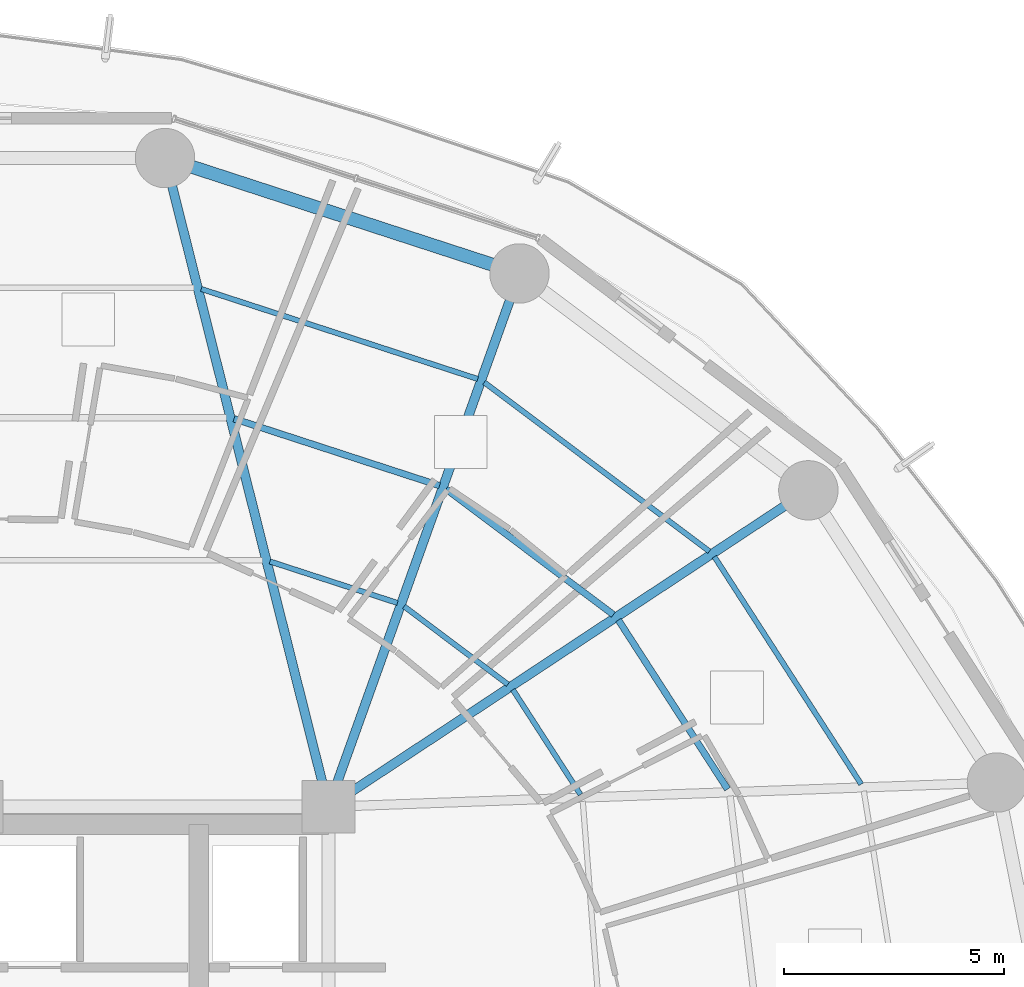
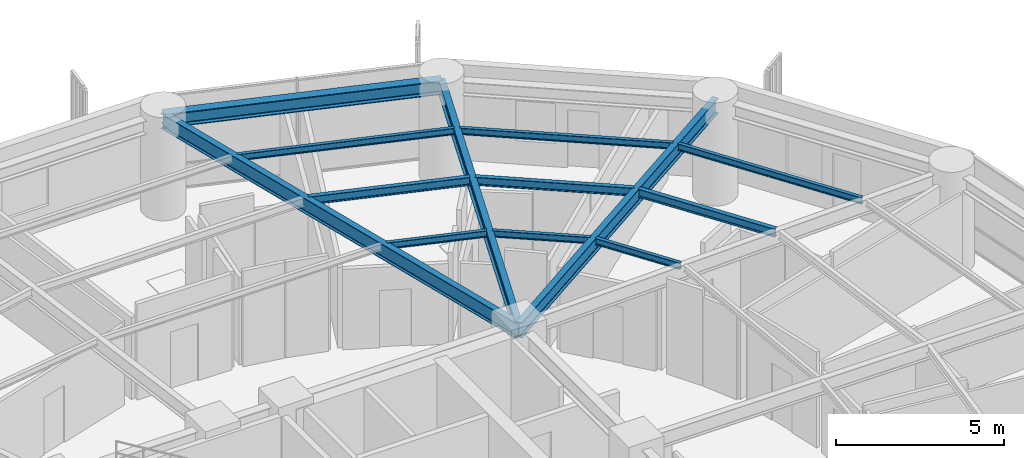
# One storey, part 24 of 37: 13 beams.
"""IFC4 building model written with IfcOpenShell, lengths in metres."""

from ifc_helpers import new_model, si_unit, direction, frame, origin, origin_2d, place, context, subcontext, project, spatial, i_section, extrude, material, material_profile, profile_set, type_object, element, save


model = new_model("IFC4")

# Units and contexts
model_context = context("Model", 3, precision=1e-05, world=origin(), true_north=direction((0.0, 1.0)))
body_context = subcontext(model_context, "Body", "Model", "MODEL_VIEW")
ifc_project = project(units=[si_unit("LENGTHUNIT", "METRE"), si_unit("AREAUNIT", "SQUARE_METRE"), si_unit("VOLUMEUNIT", "CUBIC_METRE"), si_unit("PLANEANGLEUNIT", "RADIAN"), si_unit("MASSUNIT", "GRAM", prefix="KILO")], contexts=[model_context])

# Site, building, storey
site_placement = place(None, origin())
site = spatial("IfcSite", under=ifc_project, at=site_placement, CompositionType="ELEMENT")
building_placement = place(site_placement, origin())
building = spatial("IfcBuilding", under=site, at=building_placement, Name="Kelanora Arch Commons", CompositionType="ELEMENT")
storey_placement = place(building_placement, frame((0.0, 0.0, 113.85009765625)))
storey = spatial("IfcBuildingStorey", under=building, at=storey_placement, Name="L29", CompositionType="ELEMENT", Elevation=113.85009765625)

# Beams
ifc_material = material(Name="Steel S355", Category="steel")
ifc_material_profile_1 = material_profile(ifc_material, i_section(OverallWidth=0.14990234375, OverallDepth=0.300048828125, WebThickness=0.007080078125, FlangeThickness=0.0107421875, FilletRadius=0.014892578125, at=origin_2d()), Name="IPE300")
ifc_profile_set_1 = profile_set([ifc_material_profile_1], Name="Steel S355")
beam_type_1 = type_object("IfcBeamType", Name="BM-JST-01", PredefinedType="JOIST", material=ifc_profile_set_1)
beam_1_placement = place(storey_placement, frame((91.06884765625, 65.402587890625, 3.33984375), z_axis=(-0.542230243286, 0.840229946661, 0.0), x_axis=(-0.840229946661, -0.542230243286, 0.0)))
element("IfcBeam", 1, at=beam_1_placement, inside=storey, type_object=beam_type_1, Name="Secondary Chord Joist BJB-02 L29", PredefinedType="JOIST", context=body_context, shape_type="SweptSolid", body=[
    extrude(i_section(OverallWidth=0.14990234375, OverallDepth=0.300048828125, WebThickness=0.007080078125, FlangeThickness=0.0107421875, FilletRadius=0.014892578125, at=origin_2d()), origin(), (0.0, 0.0, 1.0), 4.572265625),
])
beam_2_placement = place(storey_placement, frame((88.4755859375, 69.36669921875, 3.33984375), z_axis=(-0.79971039107, 0.600385951214, 0.0), x_axis=(-0.600385951214, -0.79971039107, 0.0)))
element("IfcBeam", 2, at=beam_2_placement, inside=storey, type_object=beam_type_1, Name="Secondary Chord Joist BJB-04 L29", PredefinedType="JOIST", context=body_context, shape_type="SweptSolid", body=[
    extrude(i_section(OverallWidth=0.14990234375, OverallDepth=0.300048828125, WebThickness=0.007080078125, FlangeThickness=0.0107421875, FilletRadius=0.014892578125, at=origin_2d()), origin(), (0.0, 0.0, 1.0), 4.756103515625),
])
beam_3_placement = place(storey_placement, frame((84.523193359375, 72.29931640625, 3.33984375), z_axis=(-0.950857140254, 0.309629938521, 0.0), x_axis=(-0.309629938521, -0.950857140254, 0.0)))
element("IfcBeam", 3, at=beam_3_placement, inside=storey, type_object=beam_type_1, Name="Secondary Chord Joist BJB-06 L29", PredefinedType="JOIST", context=body_context, shape_type="SweptSolid", body=[
    extrude(i_section(OverallWidth=0.14990234375, OverallDepth=0.300048828125, WebThickness=0.007080078125, FlangeThickness=0.0107421875, FilletRadius=0.014892578125, at=origin_2d()), origin(), (0.0, 0.0, 1.0), 4.912353515625),
])
ifc_material_profile_2 = material_profile(ifc_material, i_section(OverallWidth=0.1201171875, OverallDepth=0.239990234375, WebThickness=0.006103515625, FlangeThickness=0.009765625, FilletRadius=0.014892578125, at=origin_2d()), Name="IPE240")
ifc_profile_set_2 = profile_set([ifc_material_profile_2], Name="Steel S355")
beam_type_2 = type_object("IfcBeamType", Name="BM-JST-02", PredefinedType="JOIST", material=ifc_profile_set_2)
beam_4_placement = place(storey_placement, frame((87.726806640625, 65.281005859375, 3.369873046875), z_axis=(-0.542211255502, 0.840242199849, 0.0), x_axis=(-0.840242199849, -0.542211255502, 0.0)))
element("IfcBeam", 4, at=beam_4_placement, inside=storey, type_object=beam_type_2, Name="Secondary Chord Joist BJA-02 L29", PredefinedType="JOIST", context=body_context, shape_type="SweptSolid", body=[
    extrude(i_section(OverallWidth=0.1201171875, OverallDepth=0.239990234375, WebThickness=0.006103515625, FlangeThickness=0.009765625, FilletRadius=0.014892578125, at=origin_2d()), origin(), (0.0, 0.0, 1.0), 2.83349609375),
])
beam_5_placement = place(storey_placement, frame((94.107177734375, 65.512939453125, 3.369873046875), z_axis=(-0.542212726273, 0.840241250754, 0.0), x_axis=(-0.840241250754, -0.542212726273, 0.0)))
element("IfcBeam", 5, at=beam_5_placement, inside=storey, type_object=beam_type_2, Name="Secondary Chord Joist BJC-02 L29", PredefinedType="JOIST", context=body_context, shape_type="SweptSolid", body=[
    extrude(i_section(OverallWidth=0.1201171875, OverallDepth=0.239990234375, WebThickness=0.006103515625, FlangeThickness=0.009765625, FilletRadius=0.014892578125, at=origin_2d()), origin(), (0.0, 0.0, 1.0), 6.15283203125),
])
beam_6_placement = place(storey_placement, frame((86.076416015625, 67.7841796875, 3.369873046875), z_axis=(-0.799692034361, 0.600410401458, 0.0), x_axis=(-0.600410401458, -0.799692034361, 0.0)))
element("IfcBeam", 6, at=beam_6_placement, inside=storey, type_object=beam_type_2, Name="Secondary Chord Joist BJA-04 L29", PredefinedType="JOIST", context=body_context, shape_type="SweptSolid", body=[
    extrude(i_section(OverallWidth=0.1201171875, OverallDepth=0.239990234375, WebThickness=0.006103515625, FlangeThickness=0.009765625, FilletRadius=0.014892578125, at=origin_2d()), origin(), (0.0, 0.0, 1.0), 2.949951171875),
])
beam_7_placement = place(storey_placement, frame((90.65673828125, 70.805419921875, 3.369873046875), z_axis=(-0.799734335646, 0.600354055861, 0.0), x_axis=(-0.600354055861, -0.799734335646, 0.0)))
element("IfcBeam", 7, at=beam_7_placement, inside=storey, type_object=beam_type_2, Name="Secondary Chord Joist BJC-04 L29", PredefinedType="JOIST", context=body_context, shape_type="SweptSolid", body=[
    extrude(i_section(OverallWidth=0.1201171875, OverallDepth=0.239990234375, WebThickness=0.006103515625, FlangeThickness=0.009765625, FilletRadius=0.014892578125, at=origin_2d()), origin(), (0.0, 0.0, 1.0), 6.39794921875),
])
beam_8_placement = place(storey_placement, frame((83.568359375, 69.632568359375, 3.369873046875), z_axis=(-0.950846758946, 0.309661817151, 0.0), x_axis=(-0.309661817151, -0.950846758946, 0.0)))
element("IfcBeam", 8, at=beam_8_placement, inside=storey, type_object=beam_type_2, Name="Secondary Chord Joist BJA-06 L29", PredefinedType="JOIST", context=body_context, shape_type="SweptSolid", body=[
    extrude(i_section(OverallWidth=0.1201171875, OverallDepth=0.239990234375, WebThickness=0.006103515625, FlangeThickness=0.009765625, FilletRadius=0.014892578125, at=origin_2d()), origin(), (0.0, 0.0, 1.0), 3.048828125),
])
beam_9_placement = place(storey_placement, frame((85.39111328125, 74.723876953125, 3.369873046875), z_axis=(-0.950862829272, 0.309612467301, 0.0), x_axis=(-0.309612467301, -0.950862829272, 0.0)))
element("IfcBeam", 9, at=beam_9_placement, inside=storey, type_object=beam_type_2, Name="Secondary Chord Joist BJC-06 L29", PredefinedType="JOIST", context=body_context, shape_type="SweptSolid", body=[
    extrude(i_section(OverallWidth=0.1201171875, OverallDepth=0.239990234375, WebThickness=0.006103515625, FlangeThickness=0.009765625, FilletRadius=0.014892578125, at=origin_2d()), origin(), (0.0, 0.0, 1.0), 6.6064453125),
])
ifc_material_profile_3 = material_profile(ifc_material, i_section(OverallWidth=0.2099609375, OverallDepth=0.550048828125, WebThickness=0.010986328125, FlangeThickness=0.01708984375, FilletRadius=0.02392578125, at=origin_2d()), Name="IPE550")
ifc_profile_set_3 = profile_set([ifc_material_profile_3], Name="Steel S355")
beam_type_3 = type_object("IfcBeamType", Name="BM-RAD-Z2", PredefinedType="BEAM", material=ifc_profile_set_3)
beam_10_placement = place(storey_placement, frame((82.0, 65.0, 3.21484375), z_axis=(0.834788577908, 0.550570640512, 0.0), x_axis=(-0.550570640512, 0.834788577908, 0.0)))
element("IfcBeam", 10, at=beam_10_placement, inside=storey, type_object=beam_type_3, Name="Radial Floor Girder BR-04 L29", PredefinedType="BEAM", context=body_context, shape_type="SweptSolid", body=[
    extrude(i_section(OverallWidth=0.2099609375, OverallDepth=0.550048828125, WebThickness=0.010986328125, FlangeThickness=0.01708984375, FilletRadius=0.02392578125, at=origin_2d()), origin(), (0.0, 0.0, 1.0), 13.064453125),
])
beam_11_placement = place(storey_placement, frame((82.0, 65.0, 3.21484375), z_axis=(0.337084640008, 0.941474346687, 0.0), x_axis=(-0.941474346687, 0.337084640008, 0.0)))
element("IfcBeam", 11, at=beam_11_placement, inside=storey, type_object=beam_type_3, Name="Radial Floor Girder BR-06 L29", PredefinedType="BEAM", context=body_context, shape_type="SweptSolid", body=[
    extrude(i_section(OverallWidth=0.2099609375, OverallDepth=0.550048828125, WebThickness=0.010986328125, FlangeThickness=0.01708984375, FilletRadius=0.02392578125, at=origin_2d()), origin(), (0.0, 0.0, 1.0), 12.875244140625),
])
beam_12_placement = place(storey_placement, frame((82.0, 65.0, 3.21484375), z_axis=(-0.244280647475, 0.969704576286, 0.0), x_axis=(-0.969704576286, -0.244280647475, 0.0)))
element("IfcBeam", 12, at=beam_12_placement, inside=storey, type_object=beam_type_3, Name="Radial Floor Girder BR-08 L29", PredefinedType="BEAM", context=body_context, shape_type="SweptSolid", body=[
    extrude(i_section(OverallWidth=0.2099609375, OverallDepth=0.550048828125, WebThickness=0.010986328125, FlangeThickness=0.01708984375, FilletRadius=0.02392578125, at=origin_2d()), origin(), (0.0, 0.0, 1.0), 15.205322265625),
])
ifc_material_profile_4 = material_profile(ifc_material, i_section(OverallWidth=0.300048828125, OverallDepth=0.5, WebThickness=0.014404296875, FlangeThickness=0.028076171875, FilletRadius=0.027099609375, at=origin_2d()), Name="HEB500")
ifc_profile_set_4 = profile_set([ifc_material_profile_4], Name="Steel S355")
beam_type_4 = type_object("IfcBeamType", Name="BM-SPN-Z2", PredefinedType="SPANDREL", material=ifc_profile_set_4)
beam_13_placement = place(storey_placement, frame((86.340087890625, 77.121826171875, 3.239990234375), z_axis=(-0.950856631974, 0.309631499418, 0.0), x_axis=(-0.309631499418, -0.950856631974, 0.0)))
element("IfcBeam", 13, at=beam_13_placement, inside=storey, type_object=beam_type_4, Name="Perimeter Spandrel Beam BS-06 L29", PredefinedType="SPANDREL", context=body_context, shape_type="SweptSolid", body=[
    extrude(i_section(OverallWidth=0.300048828125, OverallDepth=0.5, WebThickness=0.014404296875, FlangeThickness=0.028076171875, FilletRadius=0.027099609375, at=origin_2d()), origin(), (0.0, 0.0, 1.0), 8.470703125),
])

save(model, "model.ifc")
